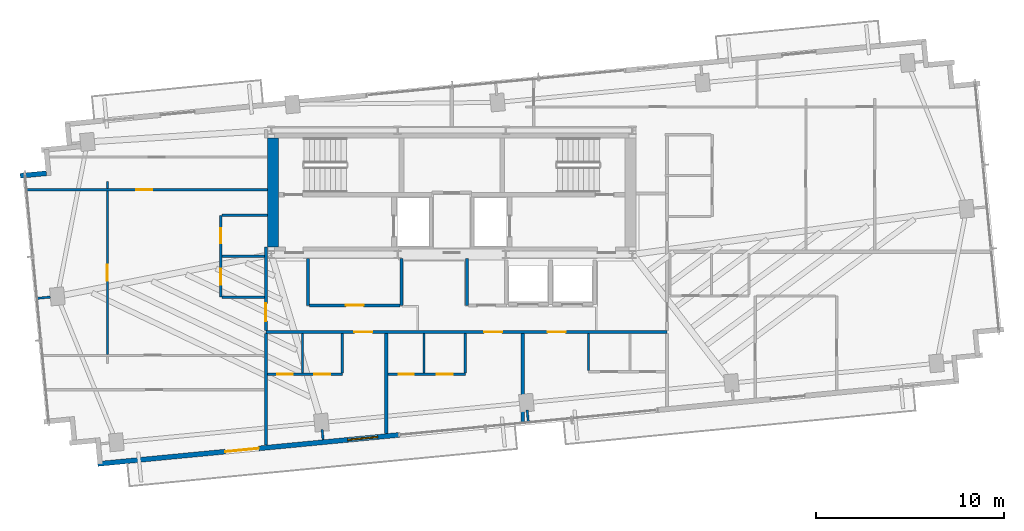
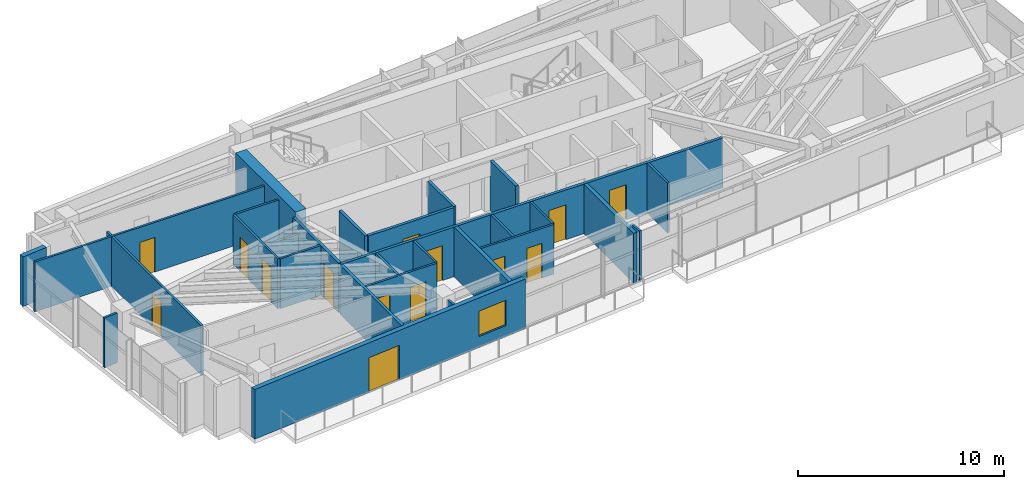
# One storey, part 13 of 18: 29 walls, 14 doors, 1 window, 15 openings.
"""IFC4 building model written with IfcOpenShell, lengths in metres."""

from ifc_helpers import new_model, si_unit, direction, frame, frame_2d, origin, place, context, subcontext, project, spatial, rectangle, extrude, source, transform, mapped, material, layer, layer_set, type_object, type_shapes, element, fill, save


model = new_model("IFC4")

# Units and contexts
model_context = context("Model", 3, precision=1e-05, world=origin(), true_north=direction((0.0, 1.0)))
body_context = subcontext(model_context, "Body", "Model", "MODEL_VIEW")
ifc_project = project(units=[si_unit("LENGTHUNIT", "METRE"), si_unit("AREAUNIT", "SQUARE_METRE"), si_unit("VOLUMEUNIT", "CUBIC_METRE"), si_unit("PLANEANGLEUNIT", "RADIAN"), si_unit("MASSUNIT", "GRAM", prefix="KILO")], contexts=[model_context])

# Site, building, storey
site_placement = place(None, origin())
site = spatial("IfcSite", under=ifc_project, at=site_placement, CompositionType="ELEMENT")
building_placement = place(site_placement, origin())
building = spatial("IfcBuilding", under=site, at=building_placement, Name="Astriad Promenade Condominiums", CompositionType="ELEMENT")
storey_placement = place(building_placement, frame((0.0, 0.0, 189.0)))
storey = spatial("IfcBuildingStorey", under=building, at=storey_placement, Name="L54", CompositionType="ELEMENT", Elevation=189.0)

# Wall
ifc_material_1 = material(Name="Concrete C50/60", Category="concrete")
ifc_layer_1 = layer(ifc_material_1, 0.60009765625)
ifc_layer_set_1 = layer_set([ifc_layer_1], Name="Concrete C50/60")
wall_type_1 = type_object("IfcWallType", Name="CW-SHEAR-600", PredefinedType="SHEAR", material=ifc_layer_set_1)
wall_1_placement = place(storey_placement, frame((26.5, 17.802001953125, 0.0), z_axis=(0.0, 0.0, 1.0), x_axis=(0.0, 1.0, 0.0)))
element("IfcWall", 1, at=wall_1_placement, inside=storey, type_object=wall_type_1, Name="CW-CORE-W-L54", PredefinedType="SHEAR", context=body_context, shape_type="SweptSolid", body=[
    extrude(rectangle(XDim=5.7958984375, YDim=0.60009765625, at=frame_2d((2.89794921875, 0.0))), origin(), (0.0, 0.0, 1.0), 3.199951171875),
])

# Wall, openings, doors
ifc_material_2 = material(Name="Fire-Rated Gypsum Partition")
ifc_layer_2 = layer(ifc_material_2, 0.159912109375)
ifc_layer_set_2 = layer_set([ifc_layer_2], Name="Fire-Rated Gypsum Partition")
wall_type_2 = type_object("IfcWallType", Name="WALL-CORR-160", PredefinedType="PARTITIONING", material=ifc_layer_set_2)
wall_2_placement = place(storey_placement, frame((26.1201171875, 13.280029296875, 0.0), z_axis=(0.0, 0.0, 1.0), x_axis=(1.0, 0.0, 0.0)))
wall_2 = element("IfcWall", 2, at=wall_2_placement, inside=storey, type_object=wall_type_2, Name="PT-COR-S-L54", PredefinedType="PARTITIONING", context=body_context, shape_type="SweptSolid", body=[
    extrude(rectangle(XDim=21.329833984375, YDim=0.159912109375, at=frame_2d((10.6650390625, 0.0))), origin(), (0.0, 0.0, 1.0), 2.93994140625),
])
opening_1_placement = place(wall_2_placement, frame((4.7041015625, 0.0, 0.0)))
opening_1 = element("IfcOpeningElement", 3, at=opening_1_placement, cuts=wall_2, Name="Opening FD60-APT-095", PredefinedType="OPENING", context=body_context, shape_type="SweptSolid", body=[
    extrude(rectangle(XDim=0.949951171875, YDim=2.06005859375, at=frame_2d((0.47509765625, 1.030029296875))), frame((0.0, 0.08984375, 0.0), z_axis=(0.0, -1.0, 0.0), x_axis=(1.0, 0.0, 0.0)), (0.0, 0.0, 1.0), 0.179931640625),
])
opening_2_placement = place(wall_2_placement, frame((11.60009765625, 0.0, 0.0)))
opening_2 = element("IfcOpeningElement", 4, at=opening_2_placement, cuts=wall_2, Name="Opening FD60-APT-095", PredefinedType="OPENING", context=body_context, shape_type="SweptSolid", body=[
    extrude(rectangle(XDim=0.949951171875, YDim=2.06005859375, at=frame_2d((0.47509765625, 1.030029296875))), frame((0.0, 0.08984375, 0.0), z_axis=(0.0, -1.0, 0.0), x_axis=(1.0, 0.0, 0.0)), (0.0, 0.0, 1.0), 0.179931640625),
])
opening_3_placement = place(wall_2_placement, frame((14.97607421875, 0.0, 0.0)))
opening_3 = element("IfcOpeningElement", 5, at=opening_3_placement, cuts=wall_2, Name="Opening FD60-APT-095", PredefinedType="OPENING", context=body_context, shape_type="SweptSolid", body=[
    extrude(rectangle(XDim=0.949951171875, YDim=2.06005859375, at=frame_2d((0.47509765625, 1.030029296875))), frame((0.0, 0.08984375, 0.0), z_axis=(0.0, -1.0, 0.0), x_axis=(1.0, 0.0, 0.0)), (0.0, 0.0, 1.0), 0.179931640625),
])
ifc_material_3 = material(Name="Solid-Core Acoustic Timber Residence Entry Door", Category="wood")
door_type_1 = type_object("IfcDoorType", Name="FD60-APT-095", OperationType="NOTDEFINED", PredefinedType="DOOR", material=ifc_material_3)
shared_shape_1 = source(origin(), body_context, "Body", "SweptSolid", [
    extrude(rectangle(XDim=0.949951171875, YDim=2.06005859375, at=frame_2d((0.47509765625, 1.030029296875))), frame((0.0, 0.02490234375, 0.0), z_axis=(0.0, -1.0, 0.0), x_axis=(1.0, 0.0, 0.0)), (0.0, 0.0, 1.0), 0.050048828125),
])
type_shapes(door_type_1, [shared_shape_1])
door_1_placement = place(opening_1_placement, origin())
door_1 = element("IfcDoor", 6, at=door_1_placement, inside=storey, type_object=door_type_1, Name="D-ENT-L54-S1", OperationType="SINGLE_SWING_RIGHT", OverallHeight=2.06005859375, OverallWidth=0.949951171875, PredefinedType="DOOR", context=body_context, shape_type="MappedRepresentation", body=[
    mapped(shared_shape_1, transform((0.0, 0.0, 0.0), scale=1.0)),
])
fill(opening_1, door_1)
door_2_placement = place(opening_2_placement, origin())
door_2 = element("IfcDoor", 7, at=door_2_placement, inside=storey, type_object=door_type_1, Name="D-ENT-L54-S2", OperationType="SINGLE_SWING_LEFT", OverallHeight=2.06005859375, OverallWidth=0.949951171875, PredefinedType="DOOR", context=body_context, shape_type="MappedRepresentation", body=[
    mapped(shared_shape_1, transform((0.0, 0.0, 0.0), scale=1.0)),
])
fill(opening_2, door_2)
door_3_placement = place(opening_3_placement, origin())
door_3 = element("IfcDoor", 8, at=door_3_placement, inside=storey, type_object=door_type_1, Name="D-ENT-L54-S3", OperationType="SINGLE_SWING_RIGHT", OverallHeight=2.06005859375, OverallWidth=0.949951171875, PredefinedType="DOOR", context=body_context, shape_type="MappedRepresentation", body=[
    mapped(shared_shape_1, transform((0.0, 0.0, 0.0), scale=1.0)),
])
fill(opening_3, door_3)

# Wall
wall_3_placement = place(storey_placement, frame((26.1201171875, 7.26123046875, 0.0), z_axis=(0.0, 0.0, 1.0), x_axis=(0.0, 1.0, 0.0)))
element("IfcWall", 9, at=wall_3_placement, inside=storey, type_object=wall_type_2, Name="PT-COR-W-L54", PredefinedType="PARTITIONING", context=body_context, shape_type="SweptSolid", body=[
    extrude(rectangle(XDim=5.936767578125, YDim=0.159912109375, at=frame_2d((2.96826171875, 0.0))), origin(), (0.0, 0.0, 1.0), 2.93994140625),
])

# Wall, opening, door
wall_4_placement = place(storey_placement, frame((26.1201171875, 13.362060546875, 0.0), z_axis=(0.0, 0.0, 1.0), x_axis=(0.0, 1.0, 0.0)))
wall_4 = element("IfcWall", 10, at=wall_4_placement, inside=storey, type_object=wall_type_2, Name="PT-COR-W-L54-S2", PredefinedType="PARTITIONING", context=body_context, shape_type="SweptSolid", body=[
    extrude(rectangle(XDim=4.43994140625, YDim=0.159912109375, at=frame_2d((2.219970703125, 0.0))), origin(), (0.0, 0.0, 1.0), 2.93994140625),
])
opening_4_placement = place(wall_4_placement, frame((0.492919921875, 0.0, 0.0)))
opening_4 = element("IfcOpeningElement", 11, at=opening_4_placement, cuts=wall_4, Name="Opening FD60-APT-095", PredefinedType="OPENING", context=body_context, shape_type="SweptSolid", body=[
    extrude(rectangle(XDim=0.949951171875, YDim=2.06005859375, at=frame_2d((0.47509765625, 1.030029296875))), frame((0.0, 0.08984375, 0.0), z_axis=(0.0, -1.0, 0.0), x_axis=(1.0, 0.0, 0.0)), (0.0, 0.0, 1.0), 0.179931640625),
])
door_4_placement = place(opening_4_placement, origin())
door_4 = element("IfcDoor", 12, at=door_4_placement, inside=storey, type_object=door_type_1, Name="D-ENT-L54-W1", OperationType="SINGLE_SWING_LEFT", OverallHeight=2.06005859375, OverallWidth=0.949951171875, PredefinedType="DOOR", context=body_context, shape_type="MappedRepresentation", body=[
    mapped(shared_shape_1, transform((0.0, 0.0, 0.0), scale=1.0)),
])
fill(opening_4, door_4)

# Walls
for number, where, z_axis, x_axis, name in (
    (13, (28.360107421875, 14.699951171875, 0.0), (0.0, 0.0, 1.0), (0.0, 1.0, 0.0), "PT-Z3REC-W-L54"),
    (14, (33.320068359375, 14.699951171875, 0.0), (0.0, 0.0, 1.0), (0.0, 1.0, 0.0), "PT-Z3REC-E-L54"),
):
    element("IfcWall", number, at=place(storey_placement, frame(where, z_axis=z_axis, x_axis=x_axis)), inside=storey, type_object=wall_type_2, Name=name, PredefinedType="PARTITIONING", context=body_context, shape_type="SweptSolid", body=[
        extrude(rectangle(XDim=2.498046875, YDim=0.159912109375, at=frame_2d((1.2490234375, 0.0))), origin(), (0.0, 0.0, 1.0), 2.93994140625),
    ])

# Wall, opening, door
wall_5_placement = place(storey_placement, frame((28.44189453125, 14.699951171875, 0.0), z_axis=(0.0, 0.0, 1.0), x_axis=(1.0, 0.0, 0.0)))
wall_5 = element("IfcWall", 15, at=wall_5_placement, inside=storey, type_object=wall_type_2, Name="PT-Z3REC-S-L54", PredefinedType="PARTITIONING", context=body_context, shape_type="SweptSolid", body=[
    extrude(rectangle(XDim=4.796142578125, YDim=0.159912109375, at=frame_2d((2.39794921875, 0.0))), origin(), (0.0, 0.0, 1.0), 2.93994140625),
])
opening_5_placement = place(wall_5_placement, frame((1.923095703125, 0.0, 0.0)))
opening_5 = element("IfcOpeningElement", 16, at=opening_5_placement, cuts=wall_5, Name="Opening FD60-APT-095", PredefinedType="OPENING", context=body_context, shape_type="SweptSolid", body=[
    extrude(rectangle(XDim=0.949951171875, YDim=2.06005859375, at=frame_2d((0.47509765625, 1.030029296875))), frame((0.0, 0.08984375, 0.0), z_axis=(0.0, -1.0, 0.0), x_axis=(1.0, 0.0, 0.0)), (0.0, 0.0, 1.0), 0.179931640625),
])
door_5_placement = place(opening_5_placement, origin())
door_5 = element("IfcDoor", 17, at=door_5_placement, inside=storey, type_object=door_type_1, Name="D-Z3R-L54", OperationType="SINGLE_SWING_RIGHT", OverallHeight=2.06005859375, OverallWidth=0.949951171875, PredefinedType="DOOR", context=body_context, shape_type="MappedRepresentation", body=[
    mapped(shared_shape_1, transform((0.0, 0.0, 0.0), scale=1.0)),
])
fill(opening_5, door_5)

# Walls
wall_6_placement = place(storey_placement, frame((36.800048828125, 14.699951171875, 0.0), z_axis=(0.0, 0.0, 1.0), x_axis=(0.0, 1.0, 0.0)))
element("IfcWall", 18, at=wall_6_placement, inside=storey, type_object=wall_type_2, Name="PT-Z3R2-W-L54", PredefinedType="PARTITIONING", context=body_context, shape_type="SweptSolid", body=[
    extrude(rectangle(XDim=2.498046875, YDim=0.159912109375, at=frame_2d((1.2490234375, 0.0))), origin(), (0.0, 0.0, 1.0), 2.93994140625),
])
ifc_material_4 = material(Name="Acoustic Double-Stud Gypsum Partition")
ifc_layer_3 = layer(ifc_material_4, 0.199951171875)
ifc_layer_set_3 = layer_set([ifc_layer_3], Name="Acoustic Double-Stud Gypsum Partition")
wall_type_3 = type_object("IfcWallType", Name="WALL-DEMISING-200", PredefinedType="PARTITIONING", material=ifc_layer_set_3)
wall_7_placement = place(storey_placement, frame((32.51904296875, 7.877197265625, 0.0), z_axis=(0.0, 0.0, 1.0), x_axis=(0.0, 1.0, 0.0)))
element("IfcWall", 19, at=wall_7_placement, inside=storey, type_object=wall_type_3, Name="PT-DEM-S1-L54", PredefinedType="PARTITIONING", context=body_context, shape_type="SweptSolid", body=[
    extrude(rectangle(XDim=5.32080078125, YDim=0.199951171875, at=frame_2d((2.660400390625, 0.0))), origin(), (0.0, 0.0, 1.0), 2.93994140625),
])
wall_8_placement = place(storey_placement, frame((39.77099609375, 8.392822265625, 0.0), z_axis=(0.0, 0.0, 1.0), x_axis=(0.0, 1.0, 0.0)))
element("IfcWall", 20, at=wall_8_placement, inside=storey, type_object=wall_type_3, Name="PT-DEM-S2-L54", PredefinedType="PARTITIONING", context=body_context, shape_type="SweptSolid", body=[
    extrude(rectangle(XDim=4.80517578125, YDim=0.199951171875, at=frame_2d((2.402587890625, 0.0))), origin(), (0.0, 0.0, 1.0), 2.93994140625),
])
ifc_material_5 = material(Name="Precast concrete C50/60", Category="concrete")
ifc_layer_4 = layer(ifc_material_5, 0.260009765625)
ifc_layer_set_4 = layer_set([ifc_layer_4], Name="Precast concrete C50/60")
wall_type_4 = type_object("IfcWallType", Name="WALL-EXT-TWR-260", PredefinedType="STANDARD", material=ifc_layer_set_4)
wall_9_placement = place(storey_placement, frame((13.058349609375, 21.583251953125, 0.0), z_axis=(0.0, 0.0, 1.0), x_axis=(0.99540774648, 0.095725744959, 0.0)))
element("IfcWall", 21, at=wall_9_placement, inside=storey, type_object=wall_type_4, Name="W-SER-L54-04", PredefinedType="STANDARD", context=body_context, shape_type="SweptSolid", body=[
    extrude(rectangle(XDim=1.39501953125, YDim=0.260009765625, at=frame_2d((0.697509765625, 0.0))), origin(), (0.0, 0.0, 1.0), 2.93994140625),
])

# Wall, openings, door, window
wall_10_placement = place(storey_placement, frame((33.201171875, 7.810302734375, 0.0), z_axis=(0.0, 0.0, 1.0), x_axis=(-0.995397074604, -0.095836652014, 0.0)))
wall_10 = element("IfcWall", 22, at=wall_10_placement, inside=storey, type_object=wall_type_4, Name="W-EXT-L54-S2", PredefinedType="STANDARD", context=body_context, shape_type="SweptSolid", body=[
    extrude(rectangle(XDim=16.10009765625, YDim=0.260009765625, at=frame_2d((8.050048828125, 0.0))), origin(), (0.0, 0.0, 1.0), 2.93994140625),
])
opening_6_placement = place(wall_10_placement, frame((7.489990234375, 0.0, 0.0)))
opening_6 = element("IfcOpeningElement", 23, at=opening_6_placement, cuts=wall_10, Name="Opening BD-1822-SLD", PredefinedType="OPENING", context=body_context, shape_type="SweptSolid", body=[
    extrude(rectangle(XDim=1.800048828125, YDim=2.06005859375, at=frame_2d((0.89990234375, 1.030029296875))), frame((0.0, 0.139892578125, 0.0), z_axis=(0.0, -1.0, 0.0), x_axis=(1.0, 0.0, 0.0)), (0.0, 0.0, 1.0), 0.280029296875),
])
opening_7_placement = place(wall_10_placement, frame((1.14990234375, 0.0, 0.64990234375)))
opening_7 = element("IfcOpeningElement", 24, at=opening_7_placement, cuts=wall_10, Name="Opening WIN-TWR-1620", PredefinedType="OPENING", context=body_context, shape_type="SweptSolid", body=[
    extrude(rectangle(XDim=1.60009765625, YDim=1.5, at=frame_2d((0.800048828125, 0.75))), frame((0.0, 0.139892578125, 0.0), z_axis=(0.0, -1.0, 0.0), x_axis=(1.0, 0.0, 0.0)), (0.0, 0.0, 1.0), 0.280029296875),
])
ifc_material_6 = material(Name="Thermally Broken Aluminium Sliding Balcony Door", Category="aluminium")
door_type_2 = type_object("IfcDoorType", Name="BD-1822-SLD", OperationType="NOTDEFINED", PredefinedType="DOOR", material=ifc_material_6)
shared_shape_2 = source(origin(), body_context, "Body", "SweptSolid", [
    extrude(rectangle(XDim=1.800048828125, YDim=2.06005859375, at=frame_2d((0.89990234375, 1.030029296875))), frame((0.0, 0.02490234375, 0.0), z_axis=(0.0, -1.0, 0.0), x_axis=(1.0, 0.0, 0.0)), (0.0, 0.0, 1.0), 0.050048828125),
])
type_shapes(door_type_2, [shared_shape_2])
door_6_placement = place(opening_6_placement, origin())
door_6 = element("IfcDoor", 25, at=door_6_placement, inside=storey, type_object=door_type_2, Name="BD-L54-SW", OperationType="SLIDING_TO_LEFT", OverallHeight=2.06005859375, OverallWidth=1.800048828125, PredefinedType="DOOR", context=body_context, shape_type="MappedRepresentation", body=[
    mapped(shared_shape_2, transform((0.0, 0.0, 0.0), scale=1.0)),
])
fill(opening_6, door_6)
ifc_material_7 = material(Name="Dark Tinted Triple-Glazed Aluminium Window", Category="aluminium")
window_type = type_object("IfcWindowType", Name="WIN-TWR-1620", PartitioningType="SINGLE_PANEL", PredefinedType="WINDOW", material=ifc_material_7)
shared_shape_3 = source(origin(), body_context, "Body", "SweptSolid", [
    extrude(rectangle(XDim=1.60009765625, YDim=1.5, at=frame_2d((0.800048828125, 0.75))), frame((0.0, 0.030029296875, 0.0), z_axis=(0.0, -1.0, 0.0), x_axis=(1.0, 0.0, 0.0)), (0.0, 0.0, 1.0), 0.06005859375),
])
type_shapes(window_type, [shared_shape_3])
window_placement = place(opening_7_placement, origin())
window = element("IfcWindow", 26, at=window_placement, inside=storey, type_object=window_type, Name="WIN-L54-SW", OverallHeight=1.5, OverallWidth=1.60009765625, PartitioningType="SINGLE_PANEL", PredefinedType="WINDOW", context=body_context, shape_type="MappedRepresentation", body=[
    mapped(shared_shape_3, transform((0.0, 0.0, 0.0), scale=1.0)),
])
fill(opening_7, window)

# Wall, openings, doors
ifc_material_8 = material(Name="Acoustic Metal-Stud Gypsum Partition")
ifc_layer_5 = layer(ifc_material_8, 0.1201171875)
ifc_layer_set_5 = layer_set([ifc_layer_5], Name="Acoustic Metal-Stud Gypsum Partition")
wall_type_5 = type_object("IfcWallType", Name="WALL-PART-120", PredefinedType="PARTITIONING", material=ifc_layer_set_5)
wall_11_placement = place(storey_placement, frame((26.201904296875, 11.030029296875, 0.0), z_axis=(0.0, 0.0, 1.0), x_axis=(1.0, 0.0, 0.0)))
wall_11 = element("IfcWall", 27, at=wall_11_placement, inside=storey, type_object=wall_type_5, Name="PT-L54-S1-PS", PredefinedType="PARTITIONING", context=body_context, shape_type="SweptSolid", body=[
    extrude(rectangle(XDim=3.97802734375, YDim=0.1201171875, at=frame_2d((1.989013671875, 0.0))), origin(), (0.0, 0.0, 1.0), 2.93994140625),
])
opening_8_placement = place(wall_11_placement, frame((0.531005859375, 0.0, 0.0)))
opening_8 = element("IfcOpeningElement", 28, at=opening_8_placement, cuts=wall_11, Name="Opening D-WET-080", PredefinedType="OPENING", context=body_context, shape_type="SweptSolid", body=[
    extrude(rectangle(XDim=0.800048828125, YDim=2.02001953125, at=frame_2d((0.39990234375, 1.010009765625))), frame((0.0, 0.070068359375, 0.0), z_axis=(0.0, -1.0, 0.0), x_axis=(1.0, 0.0, 0.0)), (0.0, 0.0, 1.0), 0.14013671875),
])
opening_9_placement = place(wall_11_placement, frame((2.49609375, 0.0, 0.0)))
opening_9 = element("IfcOpeningElement", 29, at=opening_9_placement, cuts=wall_11, Name="Opening D-INT-085", PredefinedType="OPENING", context=body_context, shape_type="SweptSolid", body=[
    extrude(rectangle(XDim=0.85009765625, YDim=2.050048828125, at=frame_2d((0.425048828125, 1.02490234375))), frame((0.0, 0.070068359375, 0.0), z_axis=(0.0, -1.0, 0.0), x_axis=(1.0, 0.0, 0.0)), (0.0, 0.0, 1.0), 0.14013671875),
])
ifc_material_9 = material(Name="Moisture-Resistant Timber Bathroom Door", Category="wood")
door_type_3 = type_object("IfcDoorType", Name="D-WET-080", OperationType="NOTDEFINED", PredefinedType="DOOR", material=ifc_material_9)
shared_shape_4 = source(origin(), body_context, "Body", "SweptSolid", [
    extrude(rectangle(XDim=0.800048828125, YDim=2.02001953125, at=frame_2d((0.39990234375, 1.010009765625))), frame((0.0, 0.02490234375, 0.0), z_axis=(0.0, -1.0, 0.0), x_axis=(1.0, 0.0, 0.0)), (0.0, 0.0, 1.0), 0.050048828125),
])
type_shapes(door_type_3, [shared_shape_4])
door_7_placement = place(opening_8_placement, origin())
door_7 = element("IfcDoor", 30, at=door_7_placement, inside=storey, type_object=door_type_3, Name="D-BTH-L54-S1", OperationType="SINGLE_SWING_LEFT", OverallHeight=2.02001953125, OverallWidth=0.800048828125, PredefinedType="DOOR", context=body_context, shape_type="MappedRepresentation", body=[
    mapped(shared_shape_4, transform((0.0, 0.0, 0.0), scale=1.0)),
])
fill(opening_8, door_7)
ifc_material_10 = material(Name="Painted Solid-Core Timber Room Door", Category="wood")
door_type_4 = type_object("IfcDoorType", Name="D-INT-085", OperationType="NOTDEFINED", PredefinedType="DOOR", material=ifc_material_10)
shared_shape_5 = source(origin(), body_context, "Body", "SweptSolid", [
    extrude(rectangle(XDim=0.85009765625, YDim=2.050048828125, at=frame_2d((0.425048828125, 1.02490234375))), frame((0.0, 0.02490234375, 0.0), z_axis=(0.0, -1.0, 0.0), x_axis=(1.0, 0.0, 0.0)), (0.0, 0.0, 1.0), 0.050048828125),
])
type_shapes(door_type_4, [shared_shape_5])
door_8_placement = place(opening_9_placement, origin())
door_8 = element("IfcDoor", 31, at=door_8_placement, inside=storey, type_object=door_type_4, Name="D-KIT-L54-S1", OperationType="SINGLE_SWING_RIGHT", OverallHeight=2.050048828125, OverallWidth=0.85009765625, PredefinedType="DOOR", context=body_context, shape_type="MappedRepresentation", body=[
    mapped(shared_shape_5, transform((0.0, 0.0, 0.0), scale=1.0)),
])
fill(opening_9, door_8)

# Walls
for number, where, z_axis, x_axis, name in (
    (32, (30.179931640625, 11.092041015625, 0.0), (0.0, 0.0, 1.0), (0.0, 1.0, 0.0), "PT-L54-S1-PK"),
    (33, (28.06591796875, 11.092041015625, 0.0), (0.0, 0.0, 1.0), (0.0, 1.0, 0.0), "PT-L54-S1-PB"),
):
    element("IfcWall", number, at=place(storey_placement, frame(where, z_axis=z_axis, x_axis=x_axis)), inside=storey, type_object=wall_type_5, Name=name, PredefinedType="PARTITIONING", context=body_context, shape_type="SweptSolid", body=[
        extrude(rectangle(XDim=2.10595703125, YDim=0.1201171875, at=frame_2d((1.052978515625, 0.0))), origin(), (0.0, 0.0, 1.0), 2.93994140625),
    ])

# Wall, openings, doors
wall_12_placement = place(storey_placement, frame((32.62109375, 11.030029296875, 0.0), z_axis=(0.0, 0.0, 1.0), x_axis=(1.0, 0.0, 0.0)))
wall_12 = element("IfcWall", 34, at=wall_12_placement, inside=storey, type_object=wall_type_5, Name="PT-L54-S2-PS", PredefinedType="PARTITIONING", context=body_context, shape_type="SweptSolid", body=[
    extrude(rectangle(XDim=4.097900390625, YDim=0.1201171875, at=frame_2d((2.048828125, 0.0))), origin(), (0.0, 0.0, 1.0), 2.93994140625),
])
opening_10_placement = place(wall_12_placement, frame((0.548095703125, 0.0, 0.0)))
opening_10 = element("IfcOpeningElement", 35, at=opening_10_placement, cuts=wall_12, Name="Opening D-WET-080", PredefinedType="OPENING", context=body_context, shape_type="SweptSolid", body=[
    extrude(rectangle(XDim=0.800048828125, YDim=2.02001953125, at=frame_2d((0.39990234375, 1.010009765625))), frame((0.0, 0.070068359375, 0.0), z_axis=(0.0, -1.0, 0.0), x_axis=(1.0, 0.0, 0.0)), (0.0, 0.0, 1.0), 0.14013671875),
])
opening_11_placement = place(wall_12_placement, frame((2.572998046875, 0.0, 0.0)))
opening_11 = element("IfcOpeningElement", 36, at=opening_11_placement, cuts=wall_12, Name="Opening D-INT-085", PredefinedType="OPENING", context=body_context, shape_type="SweptSolid", body=[
    extrude(rectangle(XDim=0.85009765625, YDim=2.050048828125, at=frame_2d((0.425048828125, 1.02490234375))), frame((0.0, 0.070068359375, 0.0), z_axis=(0.0, -1.0, 0.0), x_axis=(1.0, 0.0, 0.0)), (0.0, 0.0, 1.0), 0.14013671875),
])
door_9_placement = place(opening_10_placement, origin())
door_9 = element("IfcDoor", 37, at=door_9_placement, inside=storey, type_object=door_type_3, Name="D-BTH-L54-S2", OperationType="SINGLE_SWING_RIGHT", OverallHeight=2.02001953125, OverallWidth=0.800048828125, PredefinedType="DOOR", context=body_context, shape_type="MappedRepresentation", body=[
    mapped(shared_shape_4, transform((0.0, 0.0, 0.0), scale=1.0)),
])
fill(opening_10, door_9)
door_10_placement = place(opening_11_placement, origin())
door_10 = element("IfcDoor", 38, at=door_10_placement, inside=storey, type_object=door_type_4, Name="D-KIT-L54-S2", OperationType="SINGLE_SWING_LEFT", OverallHeight=2.050048828125, OverallWidth=0.85009765625, PredefinedType="DOOR", context=body_context, shape_type="MappedRepresentation", body=[
    mapped(shared_shape_5, transform((0.0, 0.0, 0.0), scale=1.0)),
])
fill(opening_11, door_10)

# Walls
for number, where, z_axis, x_axis, name in (
    (39, (36.718994140625, 11.092041015625, 0.0), (0.0, 0.0, 1.0), (0.0, 1.0, 0.0), "PT-L54-S2-PK"),
    (40, (34.51904296875, 11.092041015625, 0.0), (0.0, 0.0, 1.0), (0.0, 1.0, 0.0), "PT-L54-S2-PB"),
):
    element("IfcWall", number, at=place(storey_placement, frame(where, z_axis=z_axis, x_axis=x_axis)), inside=storey, type_object=wall_type_5, Name=name, PredefinedType="PARTITIONING", context=body_context, shape_type="SweptSolid", body=[
        extrude(rectangle(XDim=2.10595703125, YDim=0.1201171875, at=frame_2d((1.052978515625, 0.0))), origin(), (0.0, 0.0, 1.0), 2.93994140625),
    ])
wall_13_placement = place(storey_placement, frame((43.27001953125, 11.23388671875, 0.0), z_axis=(0.0, 0.0, 1.0), x_axis=(0.0, 1.0, 0.0)))
element("IfcWall", 41, at=wall_13_placement, inside=storey, type_object=wall_type_5, Name="PT-L54-S3-PK", PredefinedType="PARTITIONING", context=body_context, shape_type="SweptSolid", body=[
    extrude(rectangle(XDim=1.964111328125, YDim=0.1201171875, at=frame_2d((0.98193359375, 0.0))), origin(), (0.0, 0.0, 1.0), 2.93994140625),
])

# Wall, openings, doors
wall_14_placement = place(storey_placement, frame((23.719970703125, 15.1298828125, 0.0), z_axis=(0.0, 0.0, 1.0), x_axis=(0.0, 1.0, 0.0)))
wall_14 = element("IfcWall", 42, at=wall_14_placement, inside=storey, type_object=wall_type_5, Name="PT-L54-W1-PV", PredefinedType="PARTITIONING", context=body_context, shape_type="SweptSolid", body=[
    extrude(rectangle(XDim=4.35009765625, YDim=0.1201171875, at=frame_2d((2.175048828125, 0.0))), origin(), (0.0, 0.0, 1.0), 2.93994140625),
])
opening_12_placement = place(wall_14_placement, frame((0.6630859375, 0.0, 0.0)))
opening_12 = element("IfcOpeningElement", 43, at=opening_12_placement, cuts=wall_14, Name="Opening D-INT-085", PredefinedType="OPENING", context=body_context, shape_type="SweptSolid", body=[
    extrude(rectangle(XDim=0.85009765625, YDim=2.050048828125, at=frame_2d((0.425048828125, 1.02490234375))), frame((0.0, 0.070068359375, 0.0), z_axis=(0.0, -1.0, 0.0), x_axis=(1.0, 0.0, 0.0)), (0.0, 0.0, 1.0), 0.14013671875),
])
opening_13_placement = place(wall_14_placement, frame((2.862060546875, 0.0, 0.0)))
opening_13 = element("IfcOpeningElement", 44, at=opening_13_placement, cuts=wall_14, Name="Opening D-WET-080", PredefinedType="OPENING", context=body_context, shape_type="SweptSolid", body=[
    extrude(rectangle(XDim=0.800048828125, YDim=2.02001953125, at=frame_2d((0.39990234375, 1.010009765625))), frame((0.0, 0.070068359375, 0.0), z_axis=(0.0, -1.0, 0.0), x_axis=(1.0, 0.0, 0.0)), (0.0, 0.0, 1.0), 0.14013671875),
])
door_11_placement = place(opening_13_placement, origin())
door_11 = element("IfcDoor", 45, at=door_11_placement, inside=storey, type_object=door_type_3, Name="D-BTH-L54-W1", OperationType="SINGLE_SWING_LEFT", OverallHeight=2.02001953125, OverallWidth=0.800048828125, PredefinedType="DOOR", context=body_context, shape_type="MappedRepresentation", body=[
    mapped(shared_shape_4, transform((0.0, 0.0, 0.0), scale=1.0)),
])
fill(opening_13, door_11)
door_12_placement = place(opening_12_placement, origin())
door_12 = element("IfcDoor", 46, at=door_12_placement, inside=storey, type_object=door_type_4, Name="D-KIT-L54-W1", OperationType="SINGLE_SWING_RIGHT", OverallHeight=2.050048828125, OverallWidth=0.85009765625, PredefinedType="DOOR", context=body_context, shape_type="MappedRepresentation", body=[
    mapped(shared_shape_5, transform((0.0, 0.0, 0.0), scale=1.0)),
])
fill(opening_12, door_12)

# Walls
wall_15_placement = place(storey_placement, frame((23.781982421875, 17.304931640625, 0.0), z_axis=(0.0, 0.0, 1.0), x_axis=(1.0, 0.0, 0.0)))
element("IfcWall", 47, at=wall_15_placement, inside=storey, type_object=wall_type_5, Name="PT-L54-W1-PM", PredefinedType="PARTITIONING", context=body_context, shape_type="SweptSolid", body=[
    extrude(rectangle(XDim=2.256103515625, YDim=0.1201171875, at=frame_2d((1.1279296875, 0.0))), origin(), (0.0, 0.0, 1.0), 2.281494140625),
])
wall_16_placement = place(storey_placement, frame((23.781982421875, 15.1298828125, 0.0), z_axis=(0.0, 0.0, 1.0), x_axis=(1.0, 0.0, 0.0)))
element("IfcWall", 48, at=wall_16_placement, inside=storey, type_object=wall_type_5, Name="PT-L54-W1-PS", PredefinedType="PARTITIONING", context=body_context, shape_type="SweptSolid", body=[
    extrude(rectangle(XDim=2.256103515625, YDim=0.1201171875, at=frame_2d((1.1279296875, 0.0))), origin(), (0.0, 0.0, 1.0), 2.93994140625),
])
wall_17_placement = place(storey_placement, frame((23.781982421875, 19.47998046875, 0.0), z_axis=(0.0, 0.0, 1.0), x_axis=(1.0, 0.0, 0.0)))
element("IfcWall", 49, at=wall_17_placement, inside=storey, type_object=wall_type_5, Name="PT-L54-W1-PN", PredefinedType="PARTITIONING", context=body_context, shape_type="SweptSolid", body=[
    extrude(rectangle(XDim=2.416015625, YDim=0.1201171875, at=frame_2d((1.2080078125, 0.0))), origin(), (0.0, 0.0, 1.0), 2.93994140625),
])

# Wall, opening, door
wall_18_placement = place(storey_placement, frame((13.340087890625, 20.846923828125, 0.0), z_axis=(0.0, 0.0, 1.0), x_axis=(1.0, 0.0, 0.0)))
wall_18 = element("IfcWall", 50, at=wall_18_placement, inside=storey, type_object=wall_type_5, Name="PT-L54-W1-WDN4", PredefinedType="PARTITIONING", context=body_context, shape_type="SweptSolid", body=[
    extrude(rectangle(XDim=12.85791015625, YDim=0.1201171875, at=frame_2d((6.428955078125, 0.0))), origin(), (0.0, 0.0, 1.0), 2.93994140625),
])
opening_14_placement = place(wall_18_placement, frame((5.875, 0.0, 0.0)))
opening_14 = element("IfcOpeningElement", 51, at=opening_14_placement, cuts=wall_18, Name="Opening D-INT-085", PredefinedType="OPENING", context=body_context, shape_type="SweptSolid", body=[
    extrude(rectangle(XDim=0.85009765625, YDim=2.050048828125, at=frame_2d((0.425048828125, 1.02490234375))), frame((0.0, 0.070068359375, 0.0), z_axis=(0.0, -1.0, 0.0), x_axis=(1.0, 0.0, 0.0)), (0.0, 0.0, 1.0), 0.14013671875),
])
door_13_placement = place(opening_14_placement, origin())
door_13 = element("IfcDoor", 52, at=door_13_placement, inside=storey, type_object=door_type_4, Name="D-WDN4-L54-W1", OperationType="SINGLE_SWING_LEFT", OverallHeight=2.050048828125, OverallWidth=0.85009765625, PredefinedType="DOOR", context=body_context, shape_type="MappedRepresentation", body=[
    mapped(shared_shape_5, transform((0.0, 0.0, 0.0), scale=1.0)),
])
fill(opening_14, door_13)

wall_19_placement = place(storey_placement, frame((17.69091796875, 12.095947265625, 0.0), z_axis=(0.0, 0.0, 1.0), x_axis=(0.0, 1.0, 0.0)))
wall_19 = element("IfcWall", 53, at=wall_19_placement, inside=storey, type_object=wall_type_5, Name="PT-L54-W1-WDV5-S2", PredefinedType="PARTITIONING", context=body_context, shape_type="SweptSolid", body=[
    extrude(rectangle(XDim=8.68896484375, YDim=0.1201171875, at=frame_2d((4.344482421875, 0.0))), origin(), (0.0, 0.0, 1.0), 2.93994140625),
])
opening_15_placement = place(wall_19_placement, frame((3.919921875, 0.0, 0.0)))
opening_15 = element("IfcOpeningElement", 54, at=opening_15_placement, cuts=wall_19, Name="Opening D-INT-085", PredefinedType="OPENING", context=body_context, shape_type="SweptSolid", body=[
    extrude(rectangle(XDim=0.85009765625, YDim=2.050048828125, at=frame_2d((0.425048828125, 1.02490234375))), frame((0.0, 0.070068359375, 0.0), z_axis=(0.0, -1.0, 0.0), x_axis=(1.0, 0.0, 0.0)), (0.0, 0.0, 1.0), 0.14013671875),
])
door_14_placement = place(opening_15_placement, origin())
door_14 = element("IfcDoor", 55, at=door_14_placement, inside=storey, type_object=door_type_4, Name="D-WDV5-L54-W1", OperationType="SINGLE_SWING_RIGHT", OverallHeight=2.050048828125, OverallWidth=0.85009765625, PredefinedType="DOOR", context=body_context, shape_type="MappedRepresentation", body=[
    mapped(shared_shape_5, transform((0.0, 0.0, 0.0), scale=1.0)),
])
fill(opening_15, door_14)

# Walls
wall_20_placement = place(storey_placement, frame((17.69091796875, 20.908935546875, 0.0), z_axis=(0.0, 0.0, 1.0), x_axis=(0.0, 1.0, 0.0)))
element("IfcWall", 56, at=wall_20_placement, inside=storey, type_object=wall_type_5, Name="PT-L54-W1-WDV5-S3", PredefinedType="PARTITIONING", context=body_context, shape_type="SweptSolid", body=[
    extrude(rectangle(XDim=0.378173828125, YDim=0.1201171875, at=frame_2d((0.18896484375, 0.0))), origin(), (0.0, 0.0, 1.0), 2.93994140625),
])
wall_21_placement = place(storey_placement, frame((29.10546875, 8.089111328125, 0.0), z_axis=(0.0, 0.0, 1.0), x_axis=(0.095772948675, -0.995403205893, 0.0)))
element("IfcWall", 57, at=wall_21_placement, inside=storey, type_object=wall_type_5, Name="PT-PIL-L54-PC02-9", PredefinedType="PARTITIONING", context=body_context, shape_type="SweptSolid", body=[
    extrude(rectangle(XDim=0.537841796875, YDim=0.1201171875, at=frame_2d((0.26904296875, 0.0))), origin(), (0.0, 0.0, 1.0), 2.93994140625),
])
wall_22_placement = place(storey_placement, frame((40.005126953125, 9.138671875, 0.0), z_axis=(0.0, 0.0, 1.0), x_axis=(0.095977354523, -0.995383517755, 0.0)))
element("IfcWall", 58, at=wall_22_placement, inside=storey, type_object=wall_type_5, Name="PT-PIL-L54-PC03-10", PredefinedType="PARTITIONING", context=body_context, shape_type="SweptSolid", body=[
    extrude(rectangle(XDim=0.719970703125, YDim=0.1201171875, at=frame_2d((0.35986328125, 0.0))), origin(), (0.0, 0.0, 1.0), 2.93994140625),
])
wall_23_placement = place(storey_placement, frame((14.653564453125, 15.136474609375, 0.0), z_axis=(0.0, 0.0, 1.0), x_axis=(-0.995408440582, -0.095718527039, 0.0)))
element("IfcWall", 59, at=wall_23_placement, inside=storey, type_object=wall_type_5, Name="PT-PIL-L54-PC11-18", PredefinedType="PARTITIONING", context=body_context, shape_type="SweptSolid", body=[
    extrude(rectangle(XDim=0.760009765625, YDim=0.1201171875, at=frame_2d((0.3798828125, 0.0))), origin(), (0.0, 0.0, 1.0), 2.93994140625),
])

save(model, "model.ifc")
